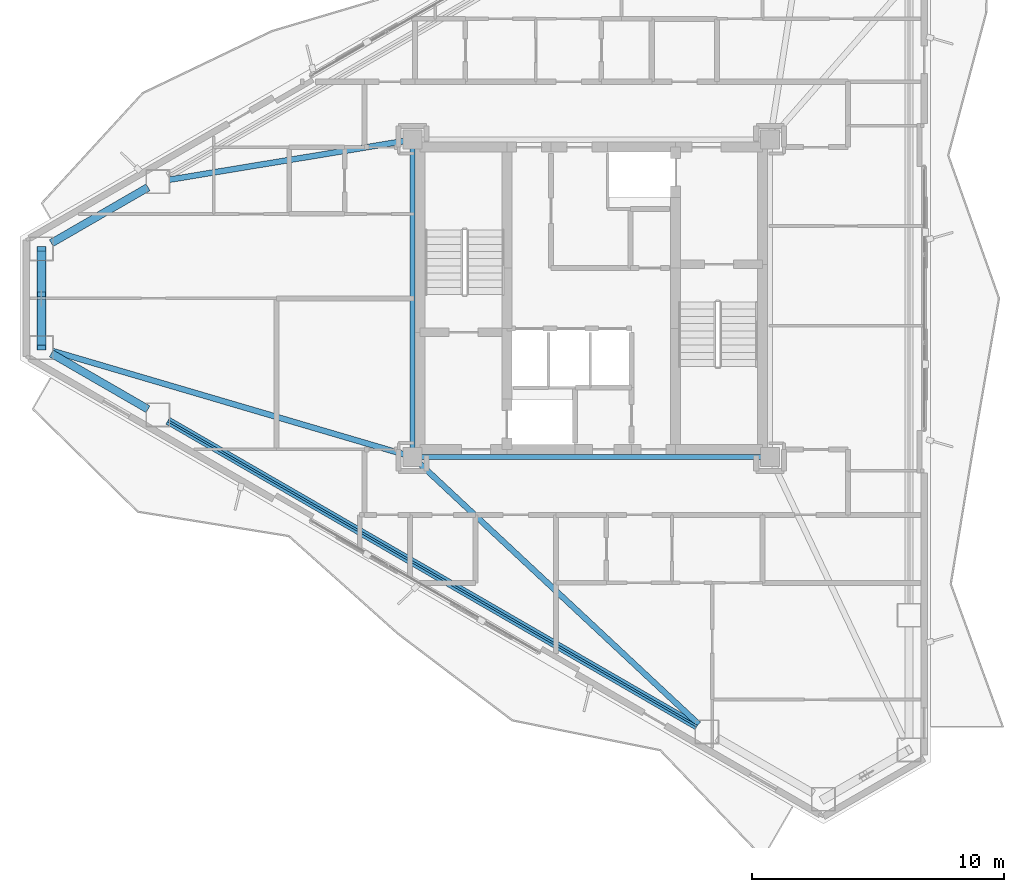
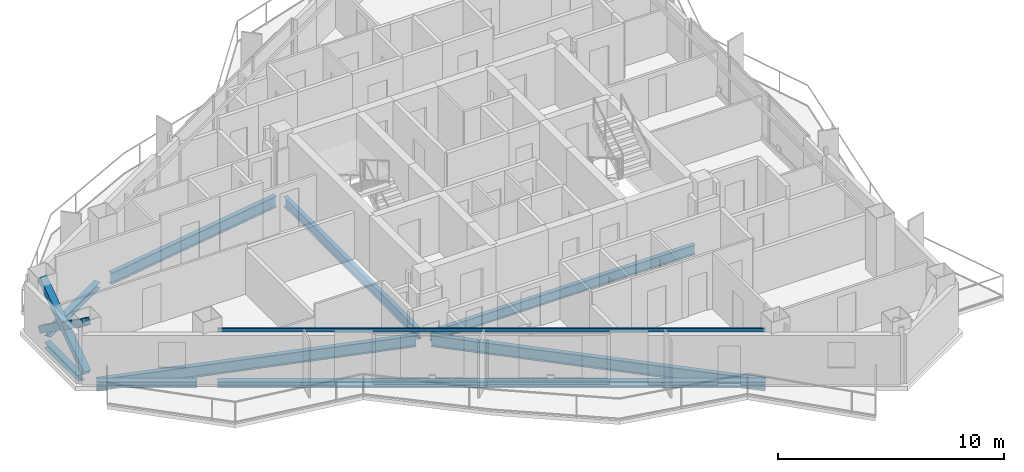
# One storey, part 4 of 18: 10 beams, 3 members.
"""IFC4 building model written with IfcOpenShell, lengths in metres."""

from ifc_helpers import new_model, si_unit, direction, frame, origin, origin_2d, place, context, subcontext, project, spatial, hollow_rectangle, i_section, extrude, material, material_profile, profile_set, type_object, element, save


model = new_model("IFC4")

# Units and contexts
model_context = context("Model", 3, precision=1e-05, world=origin(), true_north=direction((0.0, 1.0)))
body_context = subcontext(model_context, "Body", "Model", "MODEL_VIEW")
ifc_project = project(units=[si_unit("LENGTHUNIT", "METRE"), si_unit("AREAUNIT", "SQUARE_METRE"), si_unit("VOLUMEUNIT", "CUBIC_METRE"), si_unit("PLANEANGLEUNIT", "RADIAN"), si_unit("MASSUNIT", "GRAM", prefix="KILO")], contexts=[model_context])

# Site, building, storey
site_placement = place(None, origin())
site = spatial("IfcSite", under=ifc_project, at=site_placement, CompositionType="ELEMENT")
building_placement = place(site_placement, origin())
building = spatial("IfcBuilding", under=site, at=building_placement, Name="Mersakhor Tower and Convention Hall", CompositionType="ELEMENT")
storey_placement = place(building_placement, frame((0.0, 0.0, 137.699951171875)))
storey = spatial("IfcBuildingStorey", under=building, at=storey_placement, Name="L38", CompositionType="ELEMENT", Elevation=137.699951171875)

# Beams
ifc_material_1 = material(Name="Steel S355", Category="steel")
ifc_material_profile_1 = material_profile(ifc_material_1, i_section(OverallWidth=0.2099609375, OverallDepth=0.53662109375, WebThickness=0.0107421875, FlangeThickness=0.017333984375, at=origin_2d()), Name="UB 533x210x101")
ifc_profile_set_1 = profile_set([ifc_material_profile_1], Name="Steel S355")
beam_type_1 = type_object("IfcBeamType", Name="BM-FB-533", PredefinedType="BEAM", material=ifc_profile_set_1)
beam_1_placement = place(storey_placement, frame((21.89990234375, 20.804931640625, -0.50830078125), z_axis=(0.0, 1.0, 0.0), x_axis=(-1.0, 0.0, 0.0)))
element("IfcBeam", 1, at=beam_1_placement, inside=storey, type_object=beam_type_1, Name="L38 Core Ring Tie Beam CRB-1", PredefinedType="BEAM", context=body_context, shape_type="SweptSolid", body=[
    extrude(i_section(OverallWidth=0.2099609375, OverallDepth=0.53662109375, WebThickness=0.0107421875, FlangeThickness=0.017333984375, at=origin_2d()), origin(), (0.0, 0.0, 1.0), 11.89013671875),
])
beam_2_placement = place(storey_placement, frame((35.7451171875, 20.449951171875, -0.50830078125), z_axis=(-1.0, 0.0, 0.0), x_axis=(0.0, -1.0, 0.0)))
element("IfcBeam", 2, at=beam_2_placement, inside=storey, type_object=beam_type_1, Name="L38 Core Ring Tie Beam CRB-4", PredefinedType="BEAM", context=body_context, shape_type="SweptSolid", body=[
    extrude(i_section(OverallWidth=0.2099609375, OverallDepth=0.53662109375, WebThickness=0.0107421875, FlangeThickness=0.017333984375, at=origin_2d()), origin(), (0.0, 0.0, 1.0), 13.490234375),
])
ifc_material_2 = material(Name="Steel S355", Category="steel")
ifc_material_profile_2 = material_profile(ifc_material_2, hollow_rectangle(XDim=0.080078125, YDim=0.179931640625, WallThickness=0.008056640625, at=origin_2d()), Name="RHS 180x80x8")
ifc_profile_set_2 = profile_set([ifc_material_profile_2], Name="Steel S355")
beam_type_2 = type_object("IfcBeamType", Name="BM-GRT-RHS180", PredefinedType="USERDEFINED", material=ifc_profile_set_2)
beam_3_placement = place(storey_placement, frame((33.198486328125, 9.754638671875, 2.47998046875), z_axis=(-0.866027433267, 0.499996484816, 0.0), x_axis=(-0.499996484816, -0.866027433267, 0.0)))
element("IfcBeam", 3, at=beam_3_placement, inside=storey, type_object=beam_type_2, Name="L38 Facade Support Girt GRT-F3", ObjectType="GIRT", PredefinedType="USERDEFINED", context=body_context, shape_type="SweptSolid", body=[
    extrude(hollow_rectangle(XDim=0.080078125, YDim=0.179931640625, WallThickness=0.008056640625, at=origin_2d()), origin(), (0.0, 0.0, 1.0), 24.267333984375),
])
ifc_material_3 = material(Name="Steel S355", Category="steel")
ifc_material_profile_3 = material_profile(ifc_material_3, i_section(OverallWidth=0.22900390625, OverallDepth=0.6123046875, WebThickness=0.011962890625, FlangeThickness=0.01953125, at=origin_2d()), Name="UB 610x229x125")
ifc_profile_set_3 = profile_set([ifc_material_profile_3], Name="Steel S355")
beam_type_3 = type_object("IfcBeamType", Name="BM-PR-610", PredefinedType="BEAM", material=ifc_profile_set_3)
beam_4_placement = place(storey_placement, frame((21.5498046875, 32.9921875, -0.546142578125), z_axis=(-0.986703962282, -0.162527815515, 0.0), x_axis=(0.162527815515, -0.986703962282, 0.0)))
element("IfcBeam", 4, at=beam_4_placement, inside=storey, type_object=beam_type_3, Name="L38 Primary Floor Girder FG-1", PredefinedType="BEAM", context=body_context, shape_type="SweptSolid", body=[
    extrude(i_section(OverallWidth=0.22900390625, OverallDepth=0.6123046875, WebThickness=0.011962890625, FlangeThickness=0.01953125, at=origin_2d()), origin(), (0.0, 0.0, 1.0), 9.43798828125),
])
beam_5_placement = place(storey_placement, frame((22.159423828125, 20.207763671875, -0.546142578125), z_axis=(0.730740936679, -0.682654878736, 0.0), x_axis=(0.682654878736, 0.730740936679, 0.0)))
element("IfcBeam", 5, at=beam_5_placement, inside=storey, type_object=beam_type_3, Name="L38 Primary Floor Girder FG-5", PredefinedType="BEAM", context=body_context, shape_type="SweptSolid", body=[
    extrude(i_section(OverallWidth=0.22900390625, OverallDepth=0.6123046875, WebThickness=0.011962890625, FlangeThickness=0.01953125, at=origin_2d()), origin(), (0.0, 0.0, 1.0), 15.19091796875),
])
beam_6_placement = place(storey_placement, frame((21.559326171875, 20.55029296875, -0.546142578125), z_axis=(-0.959324090351, 0.282307083992, 0.0), x_axis=(-0.282307083992, -0.959324090351, 0.0)))
element("IfcBeam", 6, at=beam_6_placement, inside=storey, type_object=beam_type_3, Name="L38 Primary Floor Girder FG-6", PredefinedType="BEAM", context=body_context, shape_type="SweptSolid", body=[
    extrude(i_section(OverallWidth=0.22900390625, OverallDepth=0.6123046875, WebThickness=0.011962890625, FlangeThickness=0.01953125, at=origin_2d()), origin(), (0.0, 0.0, 1.0), 14.5546875),
])
ifc_material_4 = material(Name="Steel S355", Category="steel")
ifc_material_profile_4 = material_profile(ifc_material_4, i_section(OverallWidth=0.30908203125, OverallDepth=0.320556640625, WebThickness=0.013916015625, FlangeThickness=0.021728515625, at=origin_2d()), Name="UC 305x305x137")
ifc_profile_set_4 = profile_set([ifc_material_profile_4], Name="Steel S355")
beam_type_4 = type_object("IfcBeamType", Name="BM-SPD-UC305", PredefinedType="SPANDREL", material=ifc_profile_set_4)
beam_7_placement = place(storey_placement, frame((7.55419921875, 28.939697265625, -0.400146484375), z_axis=(0.866028798401, 0.499994120305, 0.0), x_axis=(-0.499994120305, 0.866028798401, 0.0)))
element("IfcBeam", 7, at=beam_7_placement, inside=storey, type_object=beam_type_4, Name="L38 Perimeter Spandrel Beam SPB-01", PredefinedType="SPANDREL", context=body_context, shape_type="SweptSolid", body=[
    extrude(i_section(OverallWidth=0.30908203125, OverallDepth=0.320556640625, WebThickness=0.013916015625, FlangeThickness=0.021728515625, at=origin_2d()), origin(), (0.0, 0.0, 1.0), 4.43408203125),
])
beam_8_placement = place(storey_placement, frame((33.198486328125, 9.754638671875, -0.400146484375), z_axis=(-0.866027433267, 0.499996484816, 0.0), x_axis=(-0.499996484816, -0.866027433267, 0.0)))
element("IfcBeam", 8, at=beam_8_placement, inside=storey, type_object=beam_type_4, Name="L38 Perimeter Spandrel Beam SPB-10", PredefinedType="SPANDREL", context=body_context, shape_type="SweptSolid", body=[
    extrude(i_section(OverallWidth=0.30908203125, OverallDepth=0.320556640625, WebThickness=0.013916015625, FlangeThickness=0.021728515625, at=origin_2d()), origin(), (0.0, 0.0, 1.0), 24.267333984375),
])
beam_9_placement = place(storey_placement, frame((11.394287109375, 22.34326171875, -0.400146484375), z_axis=(-0.866028798401, 0.499994120305, 0.0), x_axis=(-0.499994120305, -0.866028798401, 0.0)))
element("IfcBeam", 9, at=beam_9_placement, inside=storey, type_object=beam_type_4, Name="L38 Perimeter Spandrel Beam SPB-11", PredefinedType="SPANDREL", context=body_context, shape_type="SweptSolid", body=[
    extrude(i_section(OverallWidth=0.30908203125, OverallDepth=0.320556640625, WebThickness=0.013916015625, FlangeThickness=0.021728515625, at=origin_2d()), origin(), (0.0, 0.0, 1.0), 4.43408203125),
])
beam_10_placement = place(storey_placement, frame((7.160400390625, 25.24267578125, -0.400146484375), z_axis=(0.0, 1.0, 0.0), x_axis=(-1.0, 0.0, 0.0)))
element("IfcBeam", 10, at=beam_10_placement, inside=storey, type_object=beam_type_4, Name="L38 Perimeter Spandrel Beam SPB-12", PredefinedType="SPANDREL", context=body_context, shape_type="SweptSolid", body=[
    extrude(i_section(OverallWidth=0.30908203125, OverallDepth=0.320556640625, WebThickness=0.013916015625, FlangeThickness=0.021728515625, at=origin_2d()), origin(), (0.0, 0.0, 1.0), 3.0146484375),
])

# Members
ifc_material_5 = material(Name="Steel S460", Category="steel")
ifc_material_profile_5 = material_profile(ifc_material_5, hollow_rectangle(XDim=0.35009765625, YDim=0.35009765625, WallThickness=0.02001953125, at=origin_2d()), Name="SHS 350x350x20")
ifc_profile_set_5 = profile_set([ifc_material_profile_5], Name="Steel S460")
member_type = type_object("IfcMemberType", Name="MB-BRC-SHS350", PredefinedType="BRACE", material=ifc_profile_set_5)
member_placement = place(storey_placement, frame((7.160400390625, 24.78759765625, 0.150146484375), z_axis=(0.0, 0.817991748952, 0.575229952843), x_axis=(-1.0, 0.0, 0.0)))
element("IfcMember", 11, at=member_placement, inside=storey, type_object=member_type, Name="L38 Chamfer Braced Frame Diagonal CB-3A", PredefinedType="BRACE", context=body_context, shape_type="SweptSolid", body=[
    extrude(hollow_rectangle(XDim=0.35009765625, YDim=0.35009765625, WallThickness=0.02001953125, at=origin_2d()), origin(), (0.0, 0.0, 1.0), 4.798095703125),
])
for number, where, z_axis, x_axis, name in (
    (12, (7.160400390625, 28.71240234375, 0.150146484375), (0.0, -0.818012878097, 0.575199905483), (1.0, 0.0, 0.0), "L38 Chamfer Braced Frame Diagonal CB-3B Lower Half"),
    (13, (7.160400390625, 26.59130859375, 1.6416015625), (0.0, -0.817960781121, 0.575273987372), (1.0, 0.0, 0.0), "L38 Chamfer Braced Frame Diagonal CB-3B Upper Half"),
):
    element("IfcMember", number, at=place(storey_placement, frame(where, z_axis=z_axis, x_axis=x_axis)), inside=storey, type_object=member_type, Name=name, PredefinedType="BRACE", context=body_context, shape_type="SweptSolid", body=[
        extrude(hollow_rectangle(XDim=0.35009765625, YDim=0.35009765625, WallThickness=0.02001953125, at=origin_2d()), origin(), (0.0, 0.0, 1.0), 2.205078125),
    ])

save(model, "model.ifc")
